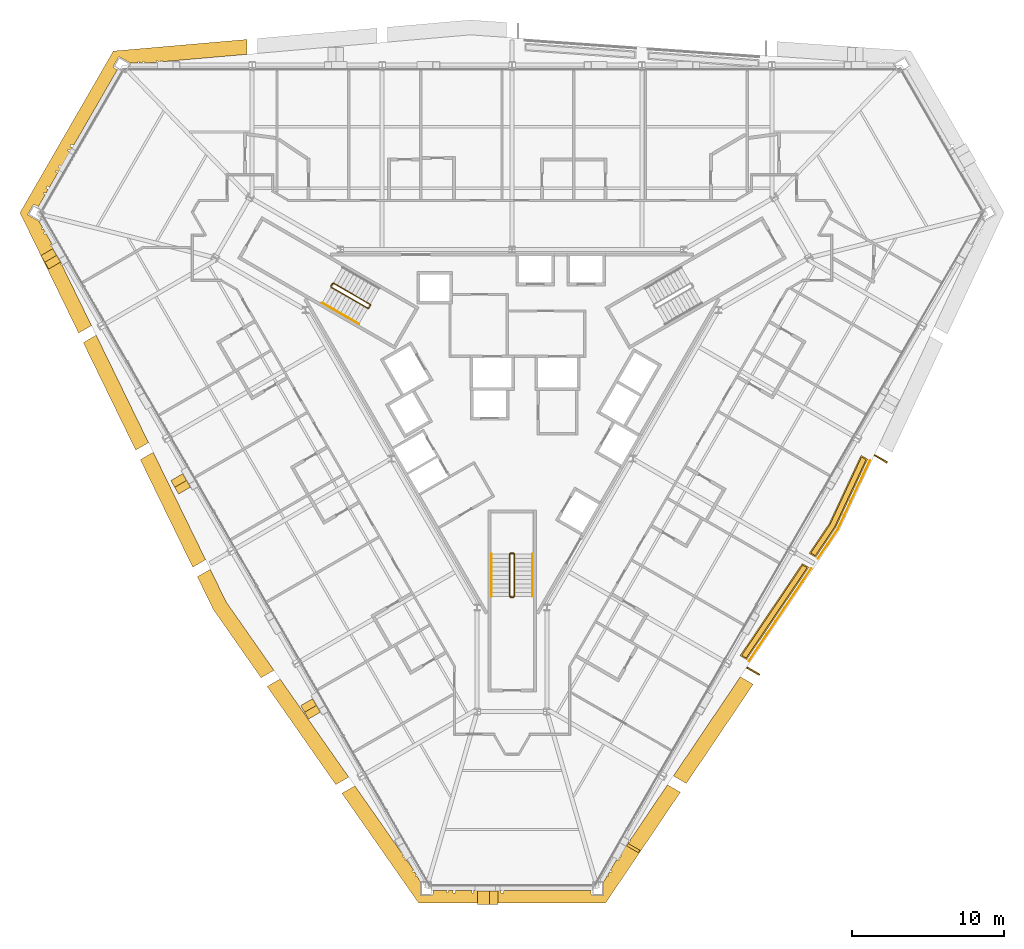
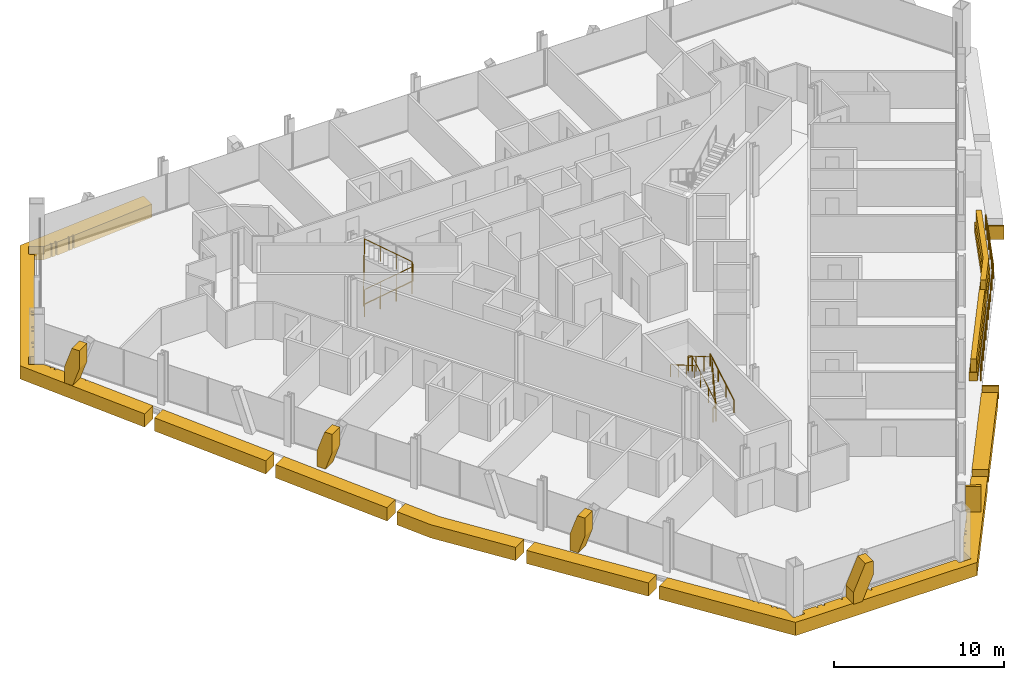
# One storey, part 19 of 20: 18 coverings, 7 railings.
"""IFC4 building model written with IfcOpenShell, lengths in metres."""

from ifc_helpers import new_model, si_unit, direction, frame, origin, origin_2d, place, context, subcontext, project, spatial, polyline, circle, outline, extrude, material, layer, layer_set, type_object, element, save


model = new_model("IFC4")

# Units and contexts
model_context = context("Model", 3, precision=1e-05, world=origin(), true_north=direction((0.0, 1.0)))
body_context = subcontext(model_context, "Body", "Model", "MODEL_VIEW")
ifc_project = project(units=[si_unit("LENGTHUNIT", "METRE"), si_unit("AREAUNIT", "SQUARE_METRE"), si_unit("VOLUMEUNIT", "CUBIC_METRE"), si_unit("PLANEANGLEUNIT", "RADIAN"), si_unit("MASSUNIT", "GRAM", prefix="KILO")], contexts=[model_context])

# Site, building, storey
site_placement = place(None, origin())
site = spatial("IfcSite", under=ifc_project, at=site_placement, CompositionType="ELEMENT")
building_placement = place(site_placement, origin())
building = spatial("IfcBuilding", under=site, at=building_placement, Name="Verrane Prism Tower", CompositionType="ELEMENT")
storey_placement = place(building_placement, frame((0.0, 0.0, 69.199951171875)))
storey = spatial("IfcBuildingStorey", under=building, at=storey_placement, Name="L15", CompositionType="ELEMENT", Elevation=69.199951171875)

# Coverings
ifc_material_1 = material(Name="Planting medium in stone kerb", Category="masonry")
covering_type_1 = type_object("IfcCoveringType", Name="Planter bed 600", PredefinedType="USERDEFINED", material=ifc_material_1)
covering_1_placement = place(storey_placement, origin())
element("IfcCovering", 1, at=covering_1_placement, inside=storey, type_object=covering_type_1, Name="Loggia planter SE3 L15", ObjectType="PLANTER", PredefinedType="USERDEFINED", context=body_context, shape_type="SweptSolid", body=[
    extrude(outline(polyline([(15.480224609375, -17.8564453125), (19.587890625, -11.77099609375), (19.155029296875, -11.52099609375), (15.04736328125, -17.6064453125), (15.480224609375, -17.8564453125)])), origin(), (0.0, 0.0, 1.0), 0.60009765625),
])
covering_2_placement = place(storey_placement, origin())
element("IfcCovering", 2, at=covering_2_placement, inside=storey, type_object=covering_type_1, Name="Loggia planter SE4 L15", ObjectType="PLANTER", PredefinedType="USERDEFINED", context=body_context, shape_type="SweptSolid", body=[
    extrude(outline(polyline([(20.03662109375, -11.106201171875), (21.35009765625, -9.160400390625), (23.4658203125, -4.629150390625), (23.03271484375, -4.379150390625), (20.917236328125, -8.910400390625), (19.603759765625, -10.856201171875), (20.03662109375, -11.106201171875)])), origin(), (0.0, 0.0, 1.0), 0.60009765625),
])
ifc_material_2 = material(Name="Planted shrubs and grasses", Category="other")
covering_type_2 = type_object("IfcCoveringType", Name="Planting mass 1000", PredefinedType="USERDEFINED", material=ifc_material_2)
covering_3_placement = place(storey_placement, frame((0.0, 0.0, 0.60009765625)))
element("IfcCovering", 3, at=covering_3_placement, inside=storey, type_object=covering_type_2, Name="Loggia planting SE3 L15", ObjectType="PLANTING", PredefinedType="USERDEFINED", context=body_context, shape_type="SweptSolid", body=[
    extrude(outline(polyline([(19.4736328125, -11.79736328125), (19.1796875, -11.627685546875), (15.16162109375, -17.580078125), (15.455810546875, -17.75), (19.4736328125, -11.79736328125)])), origin(), (0.0, 0.0, 1.0), 0.89990234375),
])
covering_4_placement = place(storey_placement, frame((0.0, 0.0, 0.60009765625)))
element("IfcCovering", 4, at=covering_4_placement, inside=storey, type_object=covering_type_2, Name="Loggia planting SE4 L15", ObjectType="PLANTING", PredefinedType="USERDEFINED", context=body_context, shape_type="SweptSolid", body=[
    extrude(outline(polyline([(21.280517578125, -9.120849609375), (23.3623046875, -4.66162109375), (23.068359375, -4.491943359375), (20.987060546875, -8.949951171875), (19.718017578125, -10.829833984375), (20.01220703125, -10.999755859375), (21.280517578125, -9.120849609375)])), origin(), (0.0, 0.0, 1.0), 0.89990234375),
])

# Railings
ifc_material_3 = material(Name="Steel A36 rail and posts, no infill", Category="steel")
railing_type_1 = type_object("IfcRailingType", Name="Stair guard 1100 steel rail and posts", PredefinedType="GUARDRAIL", material=ifc_material_3)
railing_1_placement = place(storey_placement, frame((-11.939453125, 6.72021484375, 0.16357421875)))
element("IfcRailing", 5, at=railing_1_placement, inside=storey, type_object=railing_type_1, Name="Stair 2 guard", PredefinedType="GUARDRAIL", context=body_context, shape_type="SweptSolid", body=[
    extrude(circle(Radius=0.02392578125, at=origin_2d()), frame((0.0, 0.0, 1.076171875), z_axis=(0.747665513933, -0.431721881032, 0.504591415616), x_axis=(0.500049511043, 0.865996816683, 0.0)), (0.0, 0.0, 1.0), 3.2431640625),
    extrude(circle(Radius=0.02392578125, at=origin_2d()), frame((2.4248046875, -1.400146484375, 2.71240234375), z_axis=(0.965948051503, 0.258736085224, 0.0), x_axis=(-0.258736085224, 0.965948051503, 0.0)), (0.0, 0.0, 1.0), 0.07080078125),
    extrude(circle(Radius=0.02392578125, at=origin_2d()), frame((2.4931640625, -1.3818359375, 2.71240234375), z_axis=(0.499158860599, 0.866510491504, 0.0), x_axis=(-0.866510491504, 0.499158860599, 0.0)), (0.0, 0.0, 1.0), 0.199951171875),
    extrude(circle(Radius=0.02392578125, at=origin_2d()), frame((2.593017578125, -1.20849609375, 2.71240234375), z_axis=(-0.102791240646, 0.382383415203, 0.918268416436), x_axis=(-0.965715946433, -0.259601060869, 0.0)), (0.0, 0.0, 1.0), 0.17822265625),
    extrude(circle(Radius=0.02392578125, at=origin_2d()), frame((2.57470703125, -1.140380859375, 2.8759765625), z_axis=(-0.747665513933, 0.431721881032, 0.504591415616), x_axis=(-0.500049511043, -0.865996816683, 0.0)), (0.0, 0.0, 1.0), 3.2431640625),
    extrude(circle(Radius=0.02392578125, at=origin_2d()), frame((0.14990234375, 0.259765625, 4.5126953125), z_axis=(-0.046607763296, -0.053101733218, -0.99750083826), x_axis=(0.751567565678, -0.659656118156, 0.0)), (0.0, 0.0, 1.0), 3.609130859375),
    extrude(circle(Radius=0.02392578125, at=origin_2d()), frame((-0.018310546875, 0.068115234375, 0.91259765625), z_axis=(0.499158860599, 0.866510491504, 0.0), x_axis=(-0.866510491504, 0.499158860599, 0.0)), (0.0, 0.0, 1.0), 0.199951171875),
    extrude(circle(Radius=0.02099609375, at=origin_2d()), origin(), (0.0, 0.0, 1.0), 1.052001953125),
    extrude(circle(Radius=0.02099609375, at=origin_2d()), frame((0.808349609375, -0.466796875, 0.54541015625)), (0.0, 0.0, 1.0), 1.052001953125),
    extrude(circle(Radius=0.02099609375, at=origin_2d()), frame((1.616455078125, -0.933349609375, 1.091064453125)), (0.0, 0.0, 1.0), 1.052001953125),
    extrude(circle(Radius=0.02099609375, at=origin_2d()), frame((2.4248046875, -1.400146484375, 1.636474609375)), (0.0, 0.0, 1.0), 1.052001953125),
    extrude(circle(Radius=0.02099609375, at=origin_2d()), frame((2.4931640625, -1.3818359375, 1.636474609375)), (0.0, 0.0, 1.0), 1.052001953125),
    extrude(circle(Radius=0.02099609375, at=origin_2d()), frame((2.593017578125, -1.20849609375, 1.636474609375)), (0.0, 0.0, 1.0), 1.052001953125),
    extrude(circle(Radius=0.02099609375, at=origin_2d()), frame((2.57470703125, -1.140380859375, 1.800048828125)), (0.0, 0.0, 1.0), 1.052001953125),
    extrude(circle(Radius=0.02099609375, at=origin_2d()), frame((1.766357421875, -0.673583984375, 2.345458984375)), (0.0, 0.0, 1.0), 1.052001953125),
    extrude(circle(Radius=0.02099609375, at=origin_2d()), frame((0.958251953125, -0.20703125, 2.89111328125)), (0.0, 0.0, 1.0), 1.052001953125),
    extrude(circle(Radius=0.02099609375, at=origin_2d()), frame((0.14990234375, 0.259765625, 3.4365234375)), (0.0, 0.0, 1.0), 1.052001953125),
    extrude(circle(Radius=0.02099609375, at=origin_2d()), frame((0.10791015625, 0.2119140625, 2.53662109375)), (0.0, 0.0, 1.0), 1.052001953125),
    extrude(circle(Radius=0.02099609375, at=origin_2d()), frame((0.06591796875, 0.1640625, 1.636474609375)), (0.0, 0.0, 1.0), 1.052001953125),
    extrude(circle(Radius=0.02099609375, at=origin_2d()), frame((0.023681640625, 0.115966796875, 0.736328125)), (0.0, 0.0, 1.0), 1.052001953125),
    extrude(circle(Radius=0.02099609375, at=origin_2d()), frame((-0.018310546875, 0.068115234375, -0.16357421875)), (0.0, 0.0, 1.0), 1.052001953125),
    extrude(circle(Radius=0.02099609375, at=origin_2d()), frame((0.08154296875, 0.241455078125, -0.16357421875)), (0.0, 0.0, 1.0), 1.052001953125),
])
railing_2_placement = place(storey_placement, frame((0.14990234375, -13.699951171875, 0.16357421875)))
element("IfcRailing", 6, at=railing_2_placement, inside=storey, type_object=railing_type_1, Name="Stair 3 guard", PredefinedType="GUARDRAIL", context=body_context, shape_type="SweptSolid", body=[
    extrude(circle(Radius=0.02392578125, at=origin_2d()), frame((0.0, 0.0, 1.076171875), z_axis=(0.0, 0.863360870873, 0.504586966384), x_axis=(-1.0, 0.0, 0.0)), (0.0, 0.0, 1.0), 3.2431640625),
    extrude(circle(Radius=0.02392578125, at=origin_2d()), frame((0.0, 2.800048828125, 2.71240234375), z_axis=(-0.707106781187, 0.707106781187, 0.0), x_axis=(-0.707106781187, -0.707106781187, 0.0)), (0.0, 0.0, 1.0), 0.0703125),
    extrude(circle(Radius=0.02392578125, at=origin_2d()), frame((-0.0498046875, 2.849853515625, 2.71240234375), z_axis=(-1.0, 0.0, 0.0), x_axis=(0.0, -1.0, 0.0)), (0.0, 0.0, 1.0), 0.2001953125),
    extrude(circle(Radius=0.02392578125, at=origin_2d()), frame((-0.25, 2.849853515625, 2.71240234375), z_axis=(-0.279653641804, -0.279653641804, 0.918470294159), x_axis=(0.707106781187, -0.707106781187, 0.0)), (0.0, 0.0, 1.0), 0.177978515625),
    extrude(circle(Radius=0.02392578125, at=origin_2d()), frame((-0.2998046875, 2.800048828125, 2.8759765625), z_axis=(0.0, -0.863360870873, 0.504586966384), x_axis=(1.0, 0.0, 0.0)), (0.0, 0.0, 1.0), 3.2431640625),
    extrude(circle(Radius=0.02392578125, at=origin_2d()), frame((-0.2998046875, 0.0, 4.5126953125), z_axis=(0.069269067181, -0.013867342551, -0.997501625634), x_axis=(0.196300278283, 0.98054382908, 0.0)), (0.0, 0.0, 1.0), 3.609130859375),
    extrude(circle(Radius=0.02392578125, at=origin_2d()), frame((-0.0498046875, -0.050048828125, 0.91259765625), z_axis=(-1.0, 0.0, 0.0), x_axis=(0.0, -1.0, 0.0)), (0.0, 0.0, 1.0), 0.2001953125),
    extrude(circle(Radius=0.02099609375, at=origin_2d()), origin(), (0.0, 0.0, 1.0), 1.052001953125),
    extrude(circle(Radius=0.02099609375, at=origin_2d()), frame((0.0, 0.933349609375, 0.54541015625)), (0.0, 0.0, 1.0), 1.052001953125),
    extrude(circle(Radius=0.02099609375, at=origin_2d()), frame((0.0, 1.86669921875, 1.091064453125)), (0.0, 0.0, 1.0), 1.052001953125),
    extrude(circle(Radius=0.02099609375, at=origin_2d()), frame((0.0, 2.800048828125, 1.636474609375)), (0.0, 0.0, 1.0), 1.052001953125),
    extrude(circle(Radius=0.02099609375, at=origin_2d()), frame((-0.0498046875, 2.849853515625, 1.636474609375)), (0.0, 0.0, 1.0), 1.052001953125),
    extrude(circle(Radius=0.02099609375, at=origin_2d()), frame((-0.25, 2.849853515625, 1.636474609375)), (0.0, 0.0, 1.0), 1.052001953125),
    extrude(circle(Radius=0.02099609375, at=origin_2d()), frame((-0.2998046875, 2.800048828125, 1.800048828125)), (0.0, 0.0, 1.0), 1.052001953125),
    extrude(circle(Radius=0.02099609375, at=origin_2d()), frame((-0.2998046875, 1.86669921875, 2.345458984375)), (0.0, 0.0, 1.0), 1.052001953125),
    extrude(circle(Radius=0.02099609375, at=origin_2d()), frame((-0.2998046875, 0.933349609375, 2.89111328125)), (0.0, 0.0, 1.0), 1.052001953125),
    extrude(circle(Radius=0.02099609375, at=origin_2d()), frame((-0.2998046875, 0.0, 3.4365234375)), (0.0, 0.0, 1.0), 1.052001953125),
    extrude(circle(Radius=0.02099609375, at=origin_2d()), frame((-0.2373046875, -0.012451171875, 2.53662109375)), (0.0, 0.0, 1.0), 1.052001953125),
    extrude(circle(Radius=0.02099609375, at=origin_2d()), frame((-0.1748046875, -0.02490234375, 1.636474609375)), (0.0, 0.0, 1.0), 1.052001953125),
    extrude(circle(Radius=0.02099609375, at=origin_2d()), frame((-0.1123046875, -0.03759765625, 0.736328125)), (0.0, 0.0, 1.0), 1.052001953125),
    extrude(circle(Radius=0.02099609375, at=origin_2d()), frame((-0.0498046875, -0.050048828125, -0.16357421875)), (0.0, 0.0, 1.0), 1.052001953125),
    extrude(circle(Radius=0.02099609375, at=origin_2d()), frame((-0.25, -0.050048828125, -0.16357421875)), (0.0, 0.0, 1.0), 1.052001953125),
])
ifc_material_4 = material(Name="Steel A36 tube", Category="steel")
railing_type_2 = type_object("IfcRailingType", Name="Stair handrail 900 steel tube", PredefinedType="HANDRAIL", material=ifc_material_4)
railing_3_placement = place(storey_placement, frame((-12.53955078125, 5.680908203125, 0.16357421875)))
element("IfcRailing", 7, at=railing_3_placement, inside=storey, type_object=railing_type_2, Name="Stair 2 handrail", PredefinedType="HANDRAIL", context=body_context, shape_type="SweptSolid", body=[
    extrude(circle(Radius=0.02392578125, at=origin_2d()), frame((0.0, 0.0, 0.8759765625), z_axis=(0.747665513933, -0.431721881032, 0.504591415616), x_axis=(0.500049511043, 0.865996816683, 0.0)), (0.0, 0.0, 1.0), 3.2431640625),
    extrude(circle(Radius=0.02099609375, at=origin_2d()), origin(), (0.0, 0.0, 1.0), 0.851806640625),
    extrude(circle(Radius=0.02099609375, at=origin_2d()), frame((0.808349609375, -0.466796875, 0.54541015625)), (0.0, 0.0, 1.0), 0.851806640625),
    extrude(circle(Radius=0.02099609375, at=origin_2d()), frame((1.616455078125, -0.933349609375, 1.091064453125)), (0.0, 0.0, 1.0), 0.851806640625),
    extrude(circle(Radius=0.02099609375, at=origin_2d()), frame((2.4248046875, -1.400146484375, 1.636474609375)), (0.0, 0.0, 1.0), 0.851806640625),
])
railing_4_placement = place(storey_placement, frame((1.35009765625, -13.699951171875, 0.16357421875)))
element("IfcRailing", 8, at=railing_4_placement, inside=storey, type_object=railing_type_2, Name="Stair 3 handrail", PredefinedType="HANDRAIL", context=body_context, shape_type="SweptSolid", body=[
    extrude(circle(Radius=0.02392578125, at=origin_2d()), frame((0.0, 0.0, 0.8759765625), z_axis=(0.0, 0.863360870873, 0.504586966384), x_axis=(-1.0, 0.0, 0.0)), (0.0, 0.0, 1.0), 3.2431640625),
    extrude(circle(Radius=0.02099609375, at=origin_2d()), origin(), (0.0, 0.0, 1.0), 0.851806640625),
    extrude(circle(Radius=0.02099609375, at=origin_2d()), frame((0.0, 0.933349609375, 0.54541015625)), (0.0, 0.0, 1.0), 0.851806640625),
    extrude(circle(Radius=0.02099609375, at=origin_2d()), frame((0.0, 1.86669921875, 1.091064453125)), (0.0, 0.0, 1.0), 0.851806640625),
    extrude(circle(Radius=0.02099609375, at=origin_2d()), frame((0.0, 2.800048828125, 1.636474609375)), (0.0, 0.0, 1.0), 0.851806640625),
])
railing_5_placement = place(storey_placement, frame((-1.35009765625, -10.89990234375, 1.963623046875)))
element("IfcRailing", 9, at=railing_5_placement, inside=storey, type_object=railing_type_2, Name="Stair 3 handrail", PredefinedType="HANDRAIL", context=body_context, shape_type="SweptSolid", body=[
    extrude(circle(Radius=0.02392578125, at=origin_2d()), frame((0.0, 0.0, 0.8759765625), z_axis=(0.0, -0.863360870873, 0.504586966384), x_axis=(1.0, 0.0, 0.0)), (0.0, 0.0, 1.0), 3.2431640625),
    extrude(circle(Radius=0.02099609375, at=origin_2d()), origin(), (0.0, 0.0, 1.0), 0.851806640625),
    extrude(circle(Radius=0.02099609375, at=origin_2d()), frame((0.0, -0.933349609375, 0.54541015625)), (0.0, 0.0, 1.0), 0.851806640625),
    extrude(circle(Radius=0.02099609375, at=origin_2d()), frame((0.0, -1.86669921875, 1.091064453125)), (0.0, 0.0, 1.0), 0.851806640625),
    extrude(circle(Radius=0.02099609375, at=origin_2d()), frame((0.0, -2.800048828125, 1.636474609375)), (0.0, 0.0, 1.0), 0.851806640625),
])

# Coverings
ifc_material_5 = material(Name="Warm limestone cladding", Category="masonry")
ifc_layer_1 = layer(ifc_material_5, 0.89990234375)
ifc_layer_set_1 = layer_set([ifc_layer_1], Name="Stone brace fin 900")
covering_type_3 = type_object("IfcCoveringType", Name="Stone brace fin 900", PredefinedType="CLADDING", material=ifc_layer_set_1)
covering_5_placement = place(storey_placement, frame((-30.703369140625, 9.030517578125, 0.0), z_axis=(0.0, 0.0, 1.0), x_axis=(0.500424696509, -0.865780066254, 0.0)))
element("IfcCovering", 10, at=covering_5_placement, inside=storey, type_object=covering_type_3, Name="Stone brace fin SW1 L15", PredefinedType="CLADDING", context=body_context, shape_type="SweptSolid", body=[
    extrude(outline(polyline([(1.023193359375, 2.650146484375), (0.508544921875, 2.650146484375), (0.0, 1.155029296875), (0.0, 0.0), (0.557861328125, 0.0), (1.023193359375, 1.3681640625), (1.023193359375, 2.650146484375)])), frame((0.0, 0.449951171875, 0.0), z_axis=(0.0, -1.0, 0.0), x_axis=(1.0, 0.0, 0.0)), (0.0, 0.0, 1.0), 0.89990234375),
])
covering_6_placement = place(storey_placement, frame((-22.126953125, -5.821533203125, 0.0), z_axis=(0.0, 0.0, 1.0), x_axis=(0.499192406143, -0.866491166515, 0.0)))
element("IfcCovering", 11, at=covering_6_placement, inside=storey, type_object=covering_type_3, Name="Stone brace fin SW3 L15", PredefinedType="CLADDING", context=body_context, shape_type="SweptSolid", body=[
    extrude(outline(polyline([(1.0234375, 2.650146484375), (0.5087890625, 2.650146484375), (0.0, 1.154541015625), (0.0, 0.0), (0.557861328125, 0.0), (1.0234375, 1.36865234375), (1.0234375, 2.650146484375)])), frame((0.0, 0.449951171875, 0.0), z_axis=(0.0, -1.0, 0.0), x_axis=(1.0, 0.0, 0.0)), (0.0, 0.0, 1.0), 0.89990234375),
])
covering_7_placement = place(storey_placement, frame((-13.5537109375, -20.672119140625, 0.0), z_axis=(0.0, 0.0, 1.0), x_axis=(0.500086965421, -0.865975188453, 0.0)))
element("IfcCovering", 12, at=covering_7_placement, inside=storey, type_object=covering_type_3, Name="Stone brace fin SW5 L15", PredefinedType="CLADDING", context=body_context, shape_type="SweptSolid", body=[
    extrude(outline(polyline([(1.024169921875, 2.650146484375), (0.509521484375, 2.650146484375), (0.0, 1.15380859375), (0.0, 0.0), (0.55810546875, 0.0), (1.024169921875, 1.369384765625), (1.024169921875, 2.650146484375)])), frame((0.0, 0.449951171875, 0.0), z_axis=(0.0, -1.0, 0.0), x_axis=(1.0, 0.0, 0.0)), (0.0, 0.0, 1.0), 0.89990234375),
])
covering_8_placement = place(storey_placement, frame((7.9501953125, -30.381103515625, 0.81591796875), z_axis=(0.0, 0.0, 1.0), x_axis=(0.499083066221, 0.866554148921, 0.0)))
element("IfcCovering", 13, at=covering_8_placement, inside=storey, type_object=covering_type_3, Name="Stone brace fin SE1 L15", PredefinedType="CLADDING", context=body_context, shape_type="SweptSolid", body=[
    extrude(outline(polyline([(0.1875, 1.834228515625), (0.0, 1.834228515625), (0.0, 0.0), (0.1875, 0.551513671875), (0.1875, 1.834228515625)])), frame((0.0, 0.449951171875, 0.0), z_axis=(0.0, -1.0, 0.0), x_axis=(1.0, 0.0, 0.0)), (0.0, 0.0, 1.0), 0.89990234375),
])
covering_9_placement = place(storey_placement, frame((-2.28759765625, -33.587890625, 0.0), z_axis=(0.0, 0.0, 1.0), x_axis=(1.0, 0.0, 0.0)))
element("IfcCovering", 14, at=covering_9_placement, inside=storey, type_object=covering_type_3, Name="Stone brace fin S1 L15", PredefinedType="CLADDING", context=body_context, shape_type="SweptSolid", body=[
    extrude(outline(polyline([(1.3466796875, 2.650146484375), (0.804931640625, 2.650146484375), (0.0, 0.854736328125), (0.0, 0.0), (0.60302734375, 0.0), (1.3466796875, 1.658203125), (1.3466796875, 2.650146484375)])), frame((0.0, 0.449951171875, 0.0), z_axis=(0.0, -1.0, 0.0), x_axis=(1.0, 0.0, 0.0)), (0.0, 0.0, 1.0), 0.89990234375),
])
ifc_material_6 = material(Name="Warm limestone cladding", Category="masonry")
ifc_layer_2 = layer(ifc_material_6, 0.449951171875)
ifc_layer_set_2 = layer_set([ifc_layer_2], Name="Stone spandrel band 450")
covering_type_4 = type_object("IfcCoveringType", Name="Stone spandrel band 450", PredefinedType="CLADDING", material=ifc_layer_set_2)
covering_10_placement = place(storey_placement, frame((0.0, 0.0, -0.949951171875)))
element("IfcCovering", 15, at=covering_10_placement, inside=storey, type_object=covering_type_4, Name="Stone spandrel band L15 part 1", PredefinedType="CLADDING", context=body_context, shape_type="SweptSolid", body=[
    extrude(outline(polyline([(6.166015625, -33.93896484375), (11.107421875, -26.617919921875), (10.25830078125, -26.12744140625), (7.781005859375, -29.798095703125), (7.819091796875, -29.836181640625), (7.741943359375, -29.9130859375), (7.71875, -29.889892578125), (7.650146484375, -29.99169921875), (7.69384765625, -30.01708984375), (7.6572265625, -30.08056640625), (7.60888671875, -30.052490234375), (7.141845703125, -30.74462890625), (7.2412109375, -30.802001953125), (7.18310546875, -30.90283203125), (7.07666015625, -30.84130859375), (6.960205078125, -31.013671875), (7.075439453125, -31.08837890625), (7.03662109375, -31.1484375), (6.920166015625, -31.072998046875), (6.71044921875, -31.3837890625), (6.489990234375, -31.765625), (6.593505859375, -31.83251953125), (6.531494140625, -31.92822265625), (6.432861328125, -31.864501953125), (6.318115234375, -32.063720703125), (6.394775390625, -32.142822265625), (6.346435546875, -32.189697265625), (6.282958984375, -32.124267578125), (6.030029296875, -32.5625), (6.030029296875, -33.43994140625), (5.27001953125, -33.43994140625), (5.27001953125, -33.418212890625), (5.219970703125, -33.3349609375), (5.219970703125, -33.093994140625), (-0.5361328125, -33.093994140625), (-0.57861328125, -33.28759765625), (-0.735595703125, -33.2529296875), (-0.70068359375, -33.093994140625), (-0.94091796875, -33.093994140625), (-0.94091796875, -33.260009765625), (-1.0341796875, -33.260009765625), (-1.0341796875, -33.093994140625), (-2.1328125, -33.093994140625), (-2.1328125, -33.260009765625), (-2.28759765625, -33.260009765625), (-2.28759765625, -33.093994140625), (-2.555419921875, -33.093994140625), (-2.555419921875, -33.260009765625), (-2.648681640625, -33.260009765625), (-2.648681640625, -33.093994140625), (-3.747314453125, -33.093994140625), (-3.747314453125, -33.260009765625), (-3.90185546875, -33.260009765625), (-3.90185546875, -33.093994140625), (-4.195068359375, -33.093994140625), (-4.2412109375, -33.247314453125), (-4.32421875, -33.22216796875), (-4.285400390625, -33.093994140625), (-5.219970703125, -33.093994140625), (-5.219970703125, -33.3349609375), (-5.27001953125, -33.418212890625), (-5.27001953125, -33.43994140625), (-6.030029296875, -33.43994140625), (-6.030029296875, -32.5625), (-6.282958984375, -32.124267578125), (-6.346435546875, -32.189697265625), (-6.394775390625, -32.142822265625), (-6.318115234375, -32.063720703125), (-6.432861328125, -31.864501953125), (-6.531494140625, -31.92822265625), (-6.593505859375, -31.83251953125), (-6.489990234375, -31.765625), (-6.527587890625, -31.70068359375), (-6.9521484375, -31.09375), (-7.03662109375, -31.1484375), (-7.075439453125, -31.08837890625), (-6.9931640625, -31.034912109375), (-7.113525390625, -30.86279296875), (-7.18310546875, -30.90283203125), (-7.2412109375, -30.802001953125), (-7.1806640625, -30.76708984375), (-10.3779296875, -26.196533203125), (-11.228271484375, -26.6875), (-6.155517578125, -33.93896484375), (6.166015625, -33.93896484375)])), origin(), (0.0, 0.0, 1.0), 0.949951171875),
])
covering_11_placement = place(storey_placement, frame((0.0, 0.0, -0.949951171875)))
element("IfcCovering", 16, at=covering_11_placement, inside=storey, type_object=covering_type_4, Name="Stone spandrel band L15 part 3", PredefinedType="CLADDING", context=body_context, shape_type="SweptSolid", body=[
    extrude(outline(polyline([(-32.474853515625, 11.629638671875), (-28.60546875, 3.689453125), (-27.75634765625, 4.1796875), (-29.69677734375, 8.161376953125), (-29.747314453125, 8.147705078125), (-29.775390625, 8.253173828125), (-29.745361328125, 8.26123046875), (-29.799072265625, 8.37158203125), (-29.841552734375, 8.346923828125), (-29.878173828125, 8.410400390625), (-29.831298828125, 8.4375), (-30.197265625, 9.188720703125), (-30.29541015625, 9.1318359375), (-30.353515625, 9.232666015625), (-30.248291015625, 9.293701171875), (-30.339599609375, 9.48046875), (-30.460693359375, 9.41845703125), (-30.4931640625, 9.482421875), (-30.370849609375, 9.544921875), (-30.534423828125, 9.880615234375), (-30.755615234375, 10.263671875), (-30.864501953125, 10.2080078125), (-30.91650390625, 10.309326171875), (-30.812744140625, 10.362548828125), (-30.927490234375, 10.561279296875), (-31.03369140625, 10.534423828125), (-31.05029296875, 10.599365234375), (-30.96240234375, 10.62158203125), (-31.217041015625, 11.06298828125), (-31.9755859375, 11.5009765625), (-31.595703125, 12.1591796875), (-31.57666015625, 12.148193359375), (-31.4794921875, 12.148193359375), (-31.27001953125, 12.027099609375), (-30.802490234375, 12.836669921875), (-30.934326171875, 12.867431640625), (-30.91455078125, 12.9521484375), (-30.757080078125, 12.915283203125), (-30.610595703125, 13.169189453125), (-30.755615234375, 13.253173828125), (-30.67822265625, 13.386962890625), (-30.533203125, 13.30322265625), (-29.984130859375, 14.254150390625), (-30.12890625, 14.337890625), (-30.08251953125, 14.418701171875), (-29.9375, 14.3349609375), (-29.8037109375, 14.566650390625), (-29.948486328125, 14.650146484375), (-29.87109375, 14.7841796875), (-29.7265625, 14.700439453125), (-29.177490234375, 15.651611328125), (-29.322021484375, 15.73486328125), (-29.275390625, 15.815673828125), (-29.130859375, 15.732177734375), (-29.0107421875, 15.940185546875), (-29.166748046875, 15.98974609375), (-29.1181640625, 16.142822265625), (-28.928466796875, 16.082763671875), (-26.05126953125, 21.06640625), (-26.259521484375, 21.186767578125), (-26.306640625, 21.27001953125), (-26.32568359375, 21.281005859375), (-25.94580078125, 21.939208984375), (-25.19091796875, 21.50341796875), (-24.678466796875, 21.50341796875), (-24.70263671875, 21.590087890625), (-24.6376953125, 21.608154296875), (-24.6083984375, 21.50341796875), (-24.379150390625, 21.50341796875), (-24.385009765625, 21.618896484375), (-24.27099609375, 21.62451171875), (-24.264892578125, 21.50341796875), (-24.189697265625, 21.50341796875), (-23.45166015625, 21.567626953125), (-23.456787109375, 21.666015625), (-23.385009765625, 21.669677734375), (-23.380126953125, 21.57373046875), (-23.1708984375, 21.592041015625), (-23.1708984375, 21.669921875), (-23.05419921875, 21.669921875), (-23.05419921875, 21.602294921875), (-17.497802734375, 22.085693359375), (-17.497802734375, 23.067626953125), (-26.314208984375, 22.30029296875), (-32.474853515625, 11.629638671875)])), origin(), (0.0, 0.0, 1.0), 0.949951171875),
])
covering_12_placement = place(storey_placement, frame((0.0, 0.0, -0.949951171875)))
element("IfcCovering", 17, at=covering_12_placement, inside=storey, type_object=covering_type_4, Name="Stone spandrel band L15 part 4", PredefinedType="CLADDING", context=body_context, shape_type="SweptSolid", body=[
    extrude(outline(polyline([(-23.9912109375, -3.546630859375), (-27.448974609375, 3.548828125), (-28.298095703125, 3.05859375), (-24.840087890625, -4.037109375), (-23.9912109375, -3.546630859375)])), origin(), (0.0, 0.0, 1.0), 0.949951171875),
])
covering_13_placement = place(storey_placement, frame((0.0, 0.0, -0.949951171875)))
element("IfcCovering", 18, at=covering_13_placement, inside=storey, type_object=covering_type_4, Name="Stone spandrel band L15 part 5", PredefinedType="CLADDING", context=body_context, shape_type="SweptSolid", body=[
    extrude(outline(polyline([(-24.53271484375, -4.667724609375), (-21.074951171875, -11.763427734375), (-20.225830078125, -11.273193359375), (-23.68359375, -4.177490234375), (-24.53271484375, -4.667724609375)])), origin(), (0.0, 0.0, 1.0), 0.949951171875),
])
covering_14_placement = place(storey_placement, frame((0.0, 0.0, -0.949951171875)))
element("IfcCovering", 19, at=covering_14_placement, inside=storey, type_object=covering_type_4, Name="Stone spandrel band L15 part 6", PredefinedType="CLADDING", context=body_context, shape_type="SweptSolid", body=[
    extrude(outline(polyline([(-19.712890625, -14.55859375), (-16.564208984375, -19.0595703125), (-15.7138671875, -18.568603515625), (-18.8671875, -14.06103515625), (-19.91845703125, -11.904052734375), (-20.767578125, -12.394287109375), (-19.712890625, -14.55859375)])), origin(), (0.0, 0.0, 1.0), 0.949951171875),
])
covering_15_placement = place(storey_placement, frame((0.0, 0.0, -0.949951171875)))
element("IfcCovering", 20, at=covering_15_placement, inside=storey, type_object=covering_type_4, Name="Stone spandrel band L15 part 7", PredefinedType="CLADDING", context=body_context, shape_type="SweptSolid", body=[
    extrude(outline(polyline([(-10.78076171875, -25.620849609375), (-15.311279296875, -19.144287109375), (-16.161376953125, -19.63525390625), (-11.630859375, -26.11181640625), (-10.78076171875, -25.620849609375)])), origin(), (0.0, 0.0, 1.0), 0.949951171875),
])
covering_16_placement = place(storey_placement, frame((0.0, 0.0, -0.949951171875)))
element("IfcCovering", 21, at=covering_16_placement, inside=storey, type_object=covering_type_4, Name="Stone spandrel band L15 part 8", PredefinedType="CLADDING", context=body_context, shape_type="SweptSolid", body=[
    extrude(outline(polyline([(15.06689453125, -19.00341796875), (10.65087890625, -25.5458984375), (11.5, -26.0361328125), (15.916259765625, -19.49365234375), (15.06689453125, -19.00341796875)])), origin(), (0.0, 0.0, 1.0), 0.949951171875),
])
covering_17_placement = place(storey_placement, frame((0.0, 0.0, -0.949951171875)))
element("IfcCovering", 22, at=covering_17_placement, inside=storey, type_object=covering_type_4, Name="Stone spandrel band L15 part 12", PredefinedType="CLADDING", context=body_context, shape_type="SweptSolid", body=[
    extrude(outline(polyline([(16.308837890625, -18.912109375), (16.364990234375, -18.8291015625), (15.515625, -18.3388671875), (15.459716796875, -18.421875), (16.308837890625, -18.912109375)])), origin(), (0.0, 0.0, 1.0), 0.949951171875),
])
covering_18_placement = place(storey_placement, frame((0.0, 0.0, -0.949951171875)))
element("IfcCovering", 23, at=covering_18_placement, inside=storey, type_object=covering_type_4, Name="Stone spandrel band L15 part 13", PredefinedType="CLADDING", context=body_context, shape_type="SweptSolid", body=[
    extrude(outline(polyline([(23.8955078125, -4.415283203125), (24.74560546875, -4.90625), (24.7880859375, -4.815185546875), (23.93798828125, -4.32421875), (23.8955078125, -4.415283203125)])), origin(), (0.0, 0.0, 1.0), 0.949951171875),
])

# Railings
ifc_material_7 = material(Name="Stainless steel and laminated glass", Category="steel")
railing_type_3 = type_object("IfcRailingType", Name="Terrace guard 1100", PredefinedType="GUARDRAIL", material=ifc_material_7)
railing_6_placement = place(storey_placement, frame((15.63623046875, -17.946533203125, 0.0)))
element("IfcRailing", 24, at=railing_6_placement, inside=storey, type_object=railing_type_3, Name="Loggia guard SE3 L15", PredefinedType="GUARDRAIL", context=body_context, shape_type="SweptSolid", body=[
    extrude(circle(Radius=0.02392578125, at=origin_2d()), frame((0.0, 0.0, 1.076171875), z_axis=(0.559471712797, 0.828849445062, 0.0), x_axis=(-0.828849445062, 0.559471712797, 0.0)), (0.0, 0.0, 1.0), 7.342041015625),
    extrude(circle(Radius=0.02099609375, at=origin_2d()), origin(), (0.0, 0.0, 1.0), 1.052001953125),
    extrude(circle(Radius=0.02099609375, at=origin_2d()), frame((0.5869140625, 0.869384765625, 0.0)), (0.0, 0.0, 1.0), 1.052001953125),
    extrude(circle(Radius=0.02099609375, at=origin_2d()), frame((1.173583984375, 1.73876953125, 0.0)), (0.0, 0.0, 1.0), 1.052001953125),
    extrude(circle(Radius=0.02099609375, at=origin_2d()), frame((1.760498046875, 2.608154296875, 0.0)), (0.0, 0.0, 1.0), 1.052001953125),
    extrude(circle(Radius=0.02099609375, at=origin_2d()), frame((2.34716796875, 3.477294921875, 0.0)), (0.0, 0.0, 1.0), 1.052001953125),
    extrude(circle(Radius=0.02099609375, at=origin_2d()), frame((2.93408203125, 4.3466796875, 0.0)), (0.0, 0.0, 1.0), 1.052001953125),
    extrude(circle(Radius=0.02099609375, at=origin_2d()), frame((3.520751953125, 5.216064453125, 0.0)), (0.0, 0.0, 1.0), 1.052001953125),
    extrude(circle(Radius=0.02099609375, at=origin_2d()), frame((4.107666015625, 6.08544921875, 0.0)), (0.0, 0.0, 1.0), 1.052001953125),
])
railing_7_placement = place(storey_placement, frame((20.192626953125, -11.1962890625, 0.0)))
element("IfcRailing", 25, at=railing_7_placement, inside=storey, type_object=railing_type_3, Name="Loggia guard SE4 L15", PredefinedType="GUARDRAIL", context=body_context, shape_type="SweptSolid", body=[
    extrude(circle(Radius=0.02392578125, at=origin_2d()), frame((0.0, 0.0, 1.076171875), z_axis=(0.55949071568, 0.828836617838, 0.0), x_axis=(-0.828836617838, 0.55949071568, 0.0)), (0.0, 0.0, 1.0), 2.34765625),
    extrude(circle(Radius=0.02392578125, at=origin_2d()), frame((1.3134765625, 1.94580078125, 1.076171875), z_axis=(0.423013743721, 0.906123265689, 0.0), x_axis=(-0.906123265689, 0.423013743721, 0.0)), (0.0, 0.0, 1.0), 5.0009765625),
    extrude(circle(Radius=0.02099609375, at=origin_2d()), origin(), (0.0, 0.0, 1.0), 1.052001953125),
    extrude(circle(Radius=0.02099609375, at=origin_2d()), frame((0.65673828125, 0.972900390625, 0.0)), (0.0, 0.0, 1.0), 1.052001953125),
    extrude(circle(Radius=0.02099609375, at=origin_2d()), frame((1.3134765625, 1.94580078125, 0.0)), (0.0, 0.0, 1.0), 1.052001953125),
    extrude(circle(Radius=0.02099609375, at=origin_2d()), frame((1.736572265625, 2.85205078125, 0.0)), (0.0, 0.0, 1.0), 1.052001953125),
    extrude(circle(Radius=0.02099609375, at=origin_2d()), frame((2.15966796875, 3.75830078125, 0.0)), (0.0, 0.0, 1.0), 1.052001953125),
    extrude(circle(Radius=0.02099609375, at=origin_2d()), frame((2.582763671875, 4.664794921875, 0.0)), (0.0, 0.0, 1.0), 1.052001953125),
    extrude(circle(Radius=0.02099609375, at=origin_2d()), frame((3.005859375, 5.571044921875, 0.0)), (0.0, 0.0, 1.0), 1.052001953125),
    extrude(circle(Radius=0.02099609375, at=origin_2d()), frame((3.428955078125, 6.477294921875, 0.0)), (0.0, 0.0, 1.0), 1.052001953125),
])

save(model, "model.ifc")
